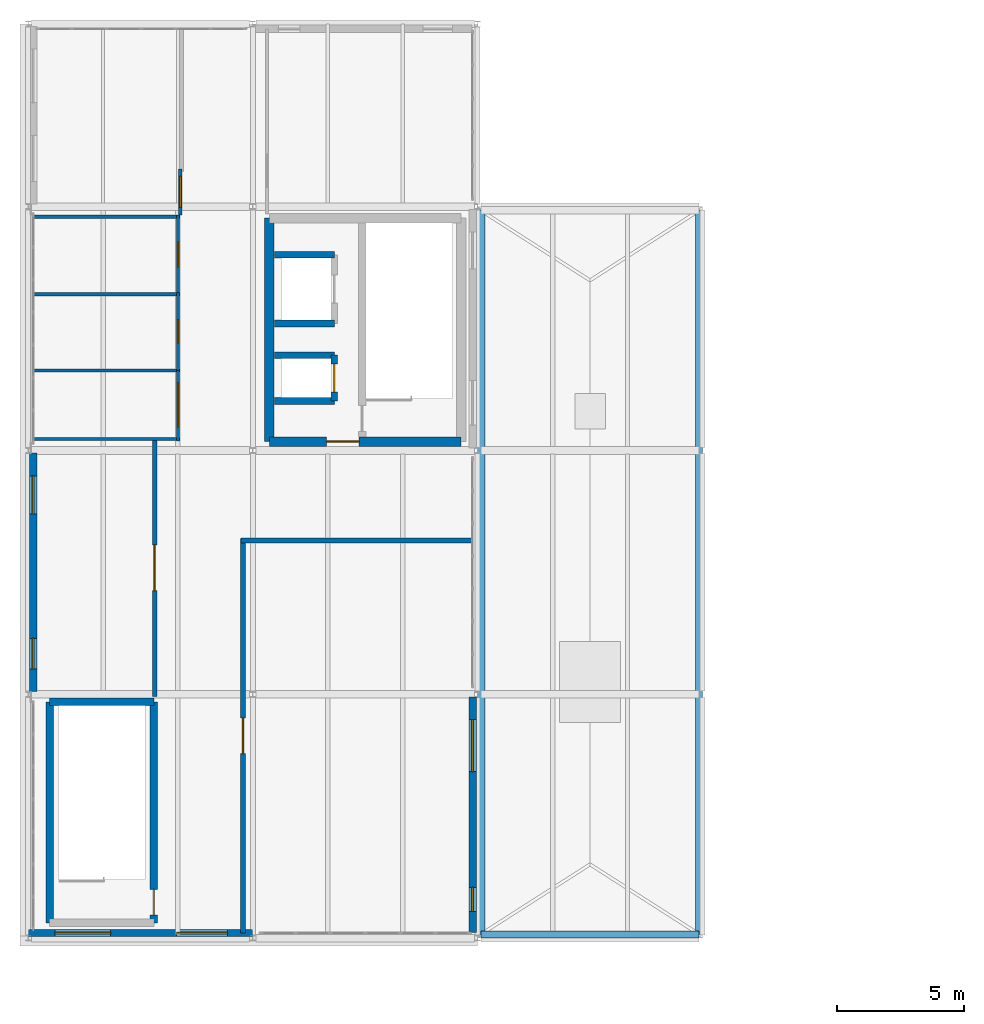
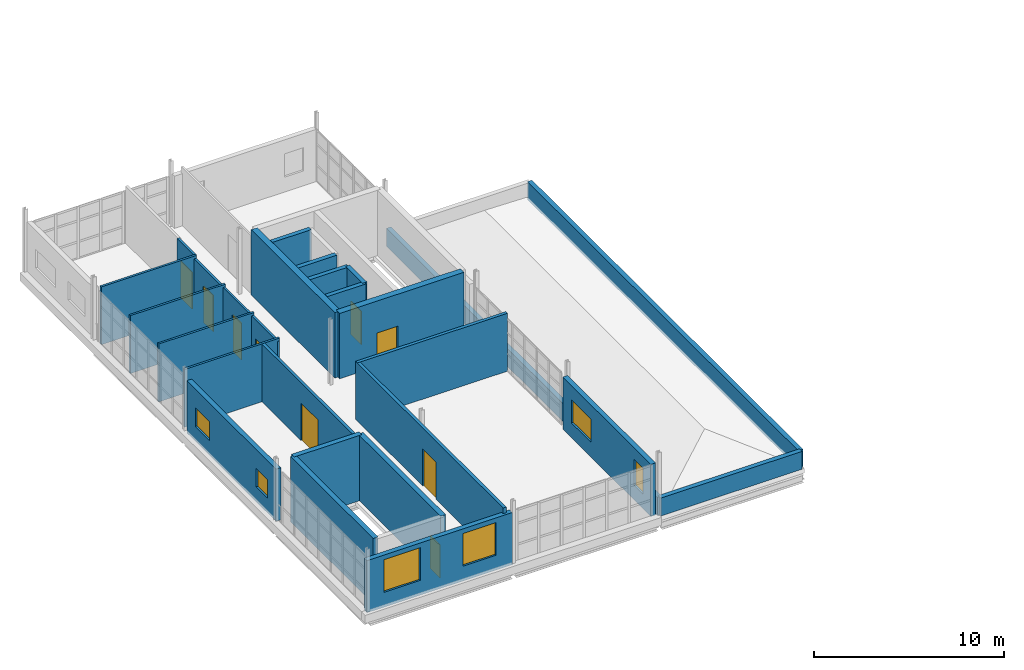
# One storey, part 13 of 16: 27 walls, 9 doors, 6 windows, 15 openings.
"""IFC4 building model written with IfcOpenShell, lengths in metres."""

from ifc_helpers import new_model, si_unit, direction, frame, frame_2d, origin, place, context, subcontext, project, spatial, rectangle, extrude, material, layer, layer_set, type_object, element, fill, save


model = new_model("IFC4")

# Units and contexts
model_context = context("Model", 3, precision=1e-05, world=origin(), true_north=direction((0.0, 1.0)))
body_context = subcontext(model_context, "Body", "Model", "MODEL_VIEW")
ifc_project = project(units=[si_unit("LENGTHUNIT", "METRE"), si_unit("AREAUNIT", "SQUARE_METRE"), si_unit("VOLUMEUNIT", "CUBIC_METRE"), si_unit("PLANEANGLEUNIT", "RADIAN"), si_unit("MASSUNIT", "GRAM", prefix="KILO")], contexts=[model_context])

# Site, building, storey
site_placement = place(None, origin())
site = spatial("IfcSite", under=ifc_project, at=site_placement, CompositionType="ELEMENT")
building_placement = place(site_placement, origin())
building = spatial("IfcBuilding", under=site, at=building_placement, Name="Yeouljin Market Hall", CompositionType="ELEMENT")
storey_placement = place(building_placement, frame((0.0, 0.0, 19.199951171875)))
storey = spatial("IfcBuildingStorey", under=building, at=storey_placement, Name="L04", CompositionType="ELEMENT", Elevation=19.199951171875)

# Wall, opening, door
ifc_material_1 = material(Name="Gypsum Board Acoustic Partition")
ifc_layer_1 = layer(ifc_material_1, 0.169921875)
ifc_layer_set_1 = layer_set([ifc_layer_1], Name="Gypsum Board Acoustic Partition")
wall_type_1 = type_object("IfcWallType", Name="Part_Acoustic_170", PredefinedType="PARTITIONING", material=ifc_layer_set_1)
wall_1_placement = place(storey_placement, frame((4.97998046875, 9.52001953125, 0.0), z_axis=(0.0, 0.0, 1.0), x_axis=(0.0, 1.0, 0.0)))
wall_1 = element("IfcWall", 1, at=wall_1_placement, inside=storey, type_object=wall_type_1, Name="Interior partition PART-L04-0182", PredefinedType="PARTITIONING", context=body_context, shape_type="SweptSolid", body=[
    extrude(rectangle(XDim=10.1298828125, YDim=0.169921875, at=frame_2d((5.06494140625, 0.0))), origin(), (0.0, 0.0, 1.0), 3.719970703125),
])
opening_1_placement = place(wall_1_placement, frame((4.1650390625, 0.0, 0.0)))
opening_1 = element("IfcOpeningElement", 2, at=opening_1_placement, cuts=wall_1, Name="Opening D-L04-058", PredefinedType="OPENING", context=body_context, shape_type="SweptSolid", body=[
    extrude(rectangle(XDim=1.800048828125, YDim=2.419921875, at=frame_2d((0.89990234375, 1.2099609375))), frame((0.0, 0.094970703125, 0.0), z_axis=(0.0, -1.0, 0.0), x_axis=(1.0, 0.0, 0.0)), (0.0, 0.0, 1.0), 0.18994140625),
])
ifc_material_2 = material(Name="Painted Fire-Rated Steel", Category="steel")
door_type_1 = type_object("IfcDoorType", Name="DT-CS180", OperationType="NOTDEFINED", PredefinedType="DOOR", material=ifc_material_2)
door_1_placement = place(opening_1_placement, origin())
door_1 = element("IfcDoor", 3, at=door_1_placement, inside=storey, type_object=door_type_1, Name="Interior door D-L04-058 (Spice Blending Workshop)", OperationType="SINGLE_SWING_RIGHT", OverallHeight=2.419921875, OverallWidth=1.800048828125, PredefinedType="DOOR", context=body_context, shape_type="SweptSolid", body=[
    extrude(rectangle(XDim=1.800048828125, YDim=2.419921875, at=frame_2d((0.89990234375, 1.2099609375))), frame((0.0, 0.02490234375, 0.0), z_axis=(0.0, -1.0, 0.0), x_axis=(1.0, 0.0, 0.0)), (0.0, 0.0, 1.0), 0.050048828125),
])
fill(opening_1, door_1)

ifc_material_3 = material(Name="Gypsum Board Acoustic Partition")
ifc_layer_2 = layer(ifc_material_3, 0.14990234375)
ifc_layer_set_2 = layer_set([ifc_layer_2], Name="Gypsum Board Acoustic Partition")
wall_type_2 = type_object("IfcWallType", Name="Part_Classroom_150", PredefinedType="PARTITIONING", material=ifc_layer_set_2)
wall_2_placement = place(storey_placement, frame((5.989990234375, 28.47998046875, 0.0), z_axis=(0.0, 0.0, 1.0), x_axis=(0.0, 1.0, 0.0)))
wall_2 = element("IfcWall", 4, at=wall_2_placement, inside=storey, type_object=wall_type_2, Name="Interior partition PART-L04-0183", PredefinedType="PARTITIONING", context=body_context, shape_type="SweptSolid", body=[
    extrude(rectangle(XDim=1.800048828125, YDim=0.14990234375, at=frame_2d((0.89990234375, 0.0))), origin(), (0.0, 0.0, 1.0), 3.650146484375),
])
opening_2_placement = place(wall_2_placement, frame((0.2900390625, 0.0, 0.0)))
opening_2 = element("IfcOpeningElement", 5, at=opening_2_placement, cuts=wall_2, Name="Opening D-L04-059", PredefinedType="OPENING", context=body_context, shape_type="SweptSolid", body=[
    extrude(rectangle(XDim=1.219970703125, YDim=2.360107421875, at=frame_2d((0.60986328125, 1.18017578125))), frame((0.0, 0.0849609375, 0.0), z_axis=(0.0, -1.0, 0.0), x_axis=(1.0, 0.0, 0.0)), (0.0, 0.0, 1.0), 0.169921875),
])
ifc_material_4 = material(Name="Acoustic Timber Veneer", Category="wood")
door_type_2 = type_object("IfcDoorType", Name="DT-ID122T", OperationType="NOTDEFINED", PredefinedType="DOOR", material=ifc_material_4)
door_2_placement = place(opening_2_placement, origin())
door_2 = element("IfcDoor", 6, at=door_2_placement, inside=storey, type_object=door_type_2, Name="Interior door D-L04-059 (Chefs Seminar Studio)", OperationType="SINGLE_SWING_LEFT", OverallHeight=2.360107421875, OverallWidth=1.219970703125, PredefinedType="DOOR", context=body_context, shape_type="SweptSolid", body=[
    extrude(rectangle(XDim=1.219970703125, YDim=2.360107421875, at=frame_2d((0.60986328125, 1.18017578125))), frame((0.0, 0.02490234375, 0.0), z_axis=(0.0, -1.0, 0.0), x_axis=(1.0, 0.0, 0.0)), (0.0, 0.0, 1.0), 0.050048828125),
])
fill(opening_2, door_2)

ifc_material_5 = material(Name="Ceramic-Faced Acoustic Partition")
ifc_layer_3 = layer(ifc_material_5, 0.18994140625)
ifc_layer_set_3 = layer_set([ifc_layer_3], Name="Ceramic-Faced Acoustic Partition")
wall_type_3 = type_object("IfcWallType", Name="Part_KitchenTile_190", PredefinedType="PARTITIONING", material=ifc_layer_set_3)
wall_3_placement = place(storey_placement, frame((8.4599609375, 15.72998046875, 0.0), z_axis=(0.0, 0.0, 1.0), x_axis=(0.0, -1.0, 0.0)))
wall_3 = element("IfcWall", 7, at=wall_3_placement, inside=storey, type_object=wall_type_3, Name="Interior partition PART-L04-0180", PredefinedType="PARTITIONING", context=body_context, shape_type="SweptSolid", body=[
    extrude(rectangle(XDim=15.530029296875, YDim=0.18994140625, at=frame_2d((7.76513671875, 0.0))), origin(), (0.0, 0.0, 1.0), 3.719970703125),
])
opening_3_placement = place(wall_3_placement, frame((7.06494140625, 0.0, 0.0)))
opening_3 = element("IfcOpeningElement", 8, at=opening_3_placement, cuts=wall_3, Name="Opening D-L04-057", PredefinedType="OPENING", context=body_context, shape_type="SweptSolid", body=[
    extrude(rectangle(XDim=1.39990234375, YDim=2.3798828125, at=frame_2d((0.699951171875, 1.18994140625))), frame((0.0, 0.10498046875, 0.0), z_axis=(0.0, -1.0, 0.0), x_axis=(1.0, 0.0, 0.0)), (0.0, 0.0, 1.0), 0.2099609375),
])
ifc_material_6 = material(Name="Painted Fire-Rated Steel", Category="steel")
door_type_3 = type_object("IfcDoorType", Name="DT-CS140", OperationType="NOTDEFINED", PredefinedType="DOOR", material=ifc_material_6)
door_3_placement = place(opening_3_placement, origin())
door_3 = element("IfcDoor", 9, at=door_3_placement, inside=storey, type_object=door_type_3, Name="Interior door D-L04-057 (Spice Conservatory Kitchen)", OperationType="SINGLE_SWING_LEFT", OverallHeight=2.3798828125, OverallWidth=1.39990234375, PredefinedType="DOOR", context=body_context, shape_type="SweptSolid", body=[
    extrude(rectangle(XDim=1.39990234375, YDim=2.3798828125, at=frame_2d((0.699951171875, 1.18994140625))), frame((0.0, 0.02490234375, 0.0), z_axis=(0.0, -1.0, 0.0), x_axis=(1.0, 0.0, 0.0)), (0.0, 0.0, 1.0), 0.050048828125),
])
fill(opening_3, door_3)

# Wall
wall_4_placement = place(storey_placement, frame((17.5, 15.64990234375, 0.0), z_axis=(0.0, 0.0, 1.0), x_axis=(-1.0, 0.0, 0.0)))
element("IfcWall", 10, at=wall_4_placement, inside=storey, type_object=wall_type_3, Name="Interior partition PART-L04-0181", PredefinedType="PARTITIONING", context=body_context, shape_type="SweptSolid", body=[
    extrude(rectangle(XDim=9.1201171875, YDim=0.18994140625, at=frame_2d((4.56005859375, 0.0))), origin(), (0.0, 0.0, 1.0), 3.719970703125),
])

# Wall, opening, door
ifc_material_7 = material(Name="Moisture-Resistant Gypsum Partition")
ifc_layer_4 = layer(ifc_material_7, 0.1298828125)
ifc_layer_set_4 = layer_set([ifc_layer_4], Name="Moisture-Resistant Gypsum Partition")
wall_type_4 = type_object("IfcWallType", Name="Part_Sanitary_130", PredefinedType="PARTITIONING", material=ifc_layer_set_4)
wall_5_placement = place(storey_placement, frame((5.89990234375, 19.570068359375, 0.0), z_axis=(0.0, 0.0, 1.0), x_axis=(0.0, 1.0, 0.0)))
wall_5 = element("IfcWall", 11, at=wall_5_placement, inside=storey, type_object=wall_type_4, Name="Interior partition PART-L04-0173", PredefinedType="PARTITIONING", context=body_context, shape_type="SweptSolid", body=[
    extrude(rectangle(XDim=2.85986328125, YDim=0.1298828125, at=frame_2d((1.429931640625, 0.0))), origin(), (0.0, 0.0, 1.0), 3.550048828125),
])
opening_4_placement = place(wall_5_placement, frame((0.570068359375, 0.0, 0.0)))
opening_4 = element("IfcOpeningElement", 12, at=opening_4_placement, cuts=wall_5, Name="Opening D-L04-054", PredefinedType="OPENING", context=body_context, shape_type="SweptSolid", body=[
    extrude(rectangle(XDim=1.719970703125, YDim=2.320068359375, at=frame_2d((0.85986328125, 1.16015625))), frame((0.0, 0.074951171875, 0.0), z_axis=(0.0, -1.0, 0.0), x_axis=(1.0, 0.0, 0.0)), (0.0, 0.0, 1.0), 0.14990234375),
])
ifc_material_8 = material(Name="Acoustic Timber Veneer", Category="wood")
door_type_4 = type_object("IfcDoorType", Name="DT-ID172H", OperationType="NOTDEFINED", PredefinedType="DOOR", material=ifc_material_8)
door_4_placement = place(opening_4_placement, origin())
door_4 = element("IfcDoor", 13, at=door_4_placement, inside=storey, type_object=door_type_4, Name="Interior door D-L04-054 (Accessible WC)", OperationType="SINGLE_SWING_RIGHT", OverallHeight=2.320068359375, OverallWidth=1.719970703125, PredefinedType="DOOR", context=body_context, shape_type="SweptSolid", body=[
    extrude(rectangle(XDim=1.719970703125, YDim=2.320068359375, at=frame_2d((0.85986328125, 1.16015625))), frame((0.0, 0.02490234375, 0.0), z_axis=(0.0, -1.0, 0.0), x_axis=(1.0, 0.0, 0.0)), (0.0, 0.0, 1.0), 0.050048828125),
])
fill(opening_4, door_4)

# Walls
for number, where, z_axis, x_axis, name in (
    (14, (0.199951171875, 19.64990234375, 0.0), (0.0, 0.0, 1.0), (1.0, 0.0, 0.0), "Interior partition PART-L04-0174"),
    (15, (5.97998046875, 22.35009765625, 0.0), (0.0, 0.0, 1.0), (-1.0, 0.0, 0.0), "Interior partition PART-L04-0175"),
):
    element("IfcWall", number, at=place(storey_placement, frame(where, z_axis=z_axis, x_axis=x_axis)), inside=storey, type_object=wall_type_4, Name=name, PredefinedType="PARTITIONING", context=body_context, shape_type="SweptSolid", body=[
        extrude(rectangle(XDim=5.780029296875, YDim=0.1298828125, at=frame_2d((2.89013671875, 0.0))), origin(), (0.0, 0.0, 1.0), 3.719970703125),
    ])

# Wall, opening, door
wall_6_placement = place(storey_placement, frame((5.89990234375, 22.35009765625, 0.0), z_axis=(0.0, 0.0, 1.0), x_axis=(0.0, 1.0, 0.0)))
wall_6 = element("IfcWall", 16, at=wall_6_placement, inside=storey, type_object=wall_type_4, Name="Interior partition PART-L04-0176", PredefinedType="PARTITIONING", context=body_context, shape_type="SweptSolid", body=[
    extrude(rectangle(XDim=3.079833984375, YDim=0.1298828125, at=frame_2d((1.5400390625, 0.0))), origin(), (0.0, 0.0, 1.0), 3.550048828125),
])
opening_5_placement = place(wall_6_placement, frame((1.090087890625, 0.0, 0.0)))
opening_5 = element("IfcOpeningElement", 17, at=opening_5_placement, cuts=wall_6, Name="Opening D-L04-055", PredefinedType="OPENING", context=body_context, shape_type="SweptSolid", body=[
    extrude(rectangle(XDim=0.89990234375, YDim=2.360107421875, at=frame_2d((0.449951171875, 1.18017578125))), frame((0.0, 0.074951171875, 0.0), z_axis=(0.0, -1.0, 0.0), x_axis=(1.0, 0.0, 0.0)), (0.0, 0.0, 1.0), 0.14990234375),
])
ifc_material_9 = material(Name="Acoustic Timber Veneer", Category="wood")
door_type_5 = type_object("IfcDoorType", Name="DT-ID090T", OperationType="NOTDEFINED", PredefinedType="DOOR", material=ifc_material_9)
door_5_placement = place(opening_5_placement, origin())
door_5 = element("IfcDoor", 18, at=door_5_placement, inside=storey, type_object=door_type_5, Name="Interior door D-L04-055 (Female WC)", OperationType="SINGLE_SWING_LEFT", OverallHeight=2.360107421875, OverallWidth=0.89990234375, PredefinedType="DOOR", context=body_context, shape_type="SweptSolid", body=[
    extrude(rectangle(XDim=0.89990234375, YDim=2.360107421875, at=frame_2d((0.449951171875, 1.18017578125))), frame((0.0, 0.02490234375, 0.0), z_axis=(0.0, -1.0, 0.0), x_axis=(1.0, 0.0, 0.0)), (0.0, 0.0, 1.0), 0.050048828125),
])
fill(opening_5, door_5)

# Wall
wall_7_placement = place(storey_placement, frame((5.97998046875, 25.35009765625, 0.0), z_axis=(0.0, 0.0, 1.0), x_axis=(-1.0, 0.0, 0.0)))
element("IfcWall", 19, at=wall_7_placement, inside=storey, type_object=wall_type_4, Name="Interior partition PART-L04-0177", PredefinedType="PARTITIONING", context=body_context, shape_type="SweptSolid", body=[
    extrude(rectangle(XDim=5.780029296875, YDim=0.1298828125, at=frame_2d((2.89013671875, 0.0))), origin(), (0.0, 0.0, 1.0), 3.719970703125),
])

# Wall, opening, door
wall_8_placement = place(storey_placement, frame((5.89990234375, 25.35009765625, 0.0), z_axis=(0.0, 0.0, 1.0), x_axis=(0.0, 1.0, 0.0)))
wall_8 = element("IfcWall", 20, at=wall_8_placement, inside=storey, type_object=wall_type_4, Name="Interior partition PART-L04-0178", PredefinedType="PARTITIONING", context=body_context, shape_type="SweptSolid", body=[
    extrude(rectangle(XDim=3.1298828125, YDim=0.1298828125, at=frame_2d((1.56494140625, 0.0))), origin(), (0.0, 0.0, 1.0), 3.550048828125),
])
opening_6_placement = place(wall_8_placement, frame((1.074951171875, 0.0, 0.0)))
opening_6 = element("IfcOpeningElement", 21, at=opening_6_placement, cuts=wall_8, Name="Opening D-L04-056", PredefinedType="OPENING", context=body_context, shape_type="SweptSolid", body=[
    extrude(rectangle(XDim=0.97998046875, YDim=2.360107421875, at=frame_2d((0.489990234375, 1.18017578125))), frame((0.0, 0.074951171875, 0.0), z_axis=(0.0, -1.0, 0.0), x_axis=(1.0, 0.0, 0.0)), (0.0, 0.0, 1.0), 0.14990234375),
])
ifc_material_10 = material(Name="Acoustic Timber Veneer", Category="wood")
door_type_6 = type_object("IfcDoorType", Name="DT-ID098T", OperationType="NOTDEFINED", PredefinedType="DOOR", material=ifc_material_10)
door_6_placement = place(opening_6_placement, origin())
door_6 = element("IfcDoor", 22, at=door_6_placement, inside=storey, type_object=door_type_6, Name="Interior door D-L04-056 (Male WC)", OperationType="SINGLE_SWING_RIGHT", OverallHeight=2.360107421875, OverallWidth=0.97998046875, PredefinedType="DOOR", context=body_context, shape_type="SweptSolid", body=[
    extrude(rectangle(XDim=0.97998046875, YDim=2.360107421875, at=frame_2d((0.489990234375, 1.18017578125))), frame((0.0, 0.02490234375, 0.0), z_axis=(0.0, -1.0, 0.0), x_axis=(1.0, 0.0, 0.0)), (0.0, 0.0, 1.0), 0.050048828125),
])
fill(opening_6, door_6)

# Wall
wall_9_placement = place(storey_placement, frame((5.97998046875, 28.39990234375, 0.0), z_axis=(0.0, 0.0, 1.0), x_axis=(-1.0, 0.0, 0.0)))
element("IfcWall", 23, at=wall_9_placement, inside=storey, type_object=wall_type_4, Name="Interior partition PART-L04-0179", PredefinedType="PARTITIONING", context=body_context, shape_type="SweptSolid", body=[
    extrude(rectangle(XDim=5.780029296875, YDim=0.1298828125, at=frame_2d((2.89013671875, 0.0))), origin(), (0.0, 0.0, 1.0), 3.719970703125),
])

# Wall, opening, door
ifc_material_11 = material(Name="Concrete C35/45", Category="concrete")
ifc_layer_5 = layer(ifc_material_11, 0.260009765625)
ifc_layer_set_5 = layer_set([ifc_layer_5], Name="Concrete C35/45")
wall_type_5 = type_object("IfcWallType", Name="Wall_Compartment_260", PredefinedType="SHEAR", material=ifc_layer_set_5)
wall_10_placement = place(storey_placement, frame((12.054931640625, 21.14990234375, 0.0), z_axis=(0.0, 0.0, 1.0), x_axis=(0.0, 1.0, 0.0)))
wall_10 = element("IfcWall", 24, at=wall_10_placement, inside=storey, type_object=wall_type_5, Name="Lift LP-01 hoistway front wall (L04)", PredefinedType="SHEAR", context=body_context, shape_type="SweptSolid", body=[
    extrude(rectangle(XDim=1.800048828125, YDim=0.260009765625, at=frame_2d((0.89990234375, 0.0))), origin(), (0.0, 0.0, 1.0), 4.199951171875),
])
opening_7_placement = place(wall_10_placement, frame((0.35009765625, 0.0, 0.0)))
opening_7 = element("IfcOpeningElement", 25, at=opening_7_placement, cuts=wall_10, Name="Opening LD-LP-01-L04", PredefinedType="OPENING", context=body_context, shape_type="SweptSolid", body=[
    extrude(rectangle(XDim=1.10009765625, YDim=2.14990234375, at=frame_2d((0.550048828125, 1.074951171875))), frame((0.0, 0.139892578125, 0.0), z_axis=(0.0, -1.0, 0.0), x_axis=(1.0, 0.0, 0.0)), (0.0, 0.0, 1.0), 0.280029296875),
])
ifc_material_12 = material(Name="Brushed Stainless Steel", Category="steel")
door_type_7 = type_object("IfcDoorType", Name="LD-110", OperationType="SLIDING_TO_LEFT", PredefinedType="DOOR", material=ifc_material_12)
door_7_placement = place(opening_7_placement, origin())
door_7 = element("IfcDoor", 26, at=door_7_placement, inside=storey, type_object=door_type_7, Name="Lift landing sliding door LD-LP-01-L04", OperationType="SLIDING_TO_LEFT", OverallHeight=2.14990234375, OverallWidth=1.10009765625, PredefinedType="DOOR", context=body_context, shape_type="SweptSolid", body=[
    extrude(rectangle(XDim=1.10009765625, YDim=2.14990234375, at=frame_2d((0.550048828125, 1.074951171875))), frame((0.0, 0.02490234375, 0.0), z_axis=(0.0, -1.0, 0.0), x_axis=(1.0, 0.0, 0.0)), (0.0, 0.0, 1.0), 0.050048828125),
])
fill(opening_7, door_7)

# Walls
for number, where, z_axis, x_axis, name in (
    (27, (9.699951171875, 21.14990234375, 0.0), (0.0, 0.0, 1.0), (1.0, 0.0, 0.0), "Lift LP-01 shaft cheek wall S (L04)"),
    (28, (9.699951171875, 22.949951171875, 0.0), (0.0, 0.0, 1.0), (1.0, 0.0, 0.0), "Lift LP-01 shaft cheek wall N (L04)"),
    (29, (9.699951171875, 24.199951171875, 0.0), (0.0, 0.0, 1.0), (1.0, 0.0, 0.0), "Lift LS-01 shaft cheek wall S (L04)"),
    (30, (9.699951171875, 26.89990234375, 0.0), (0.0, 0.0, 1.0), (1.0, 0.0, 0.0), "Lift LS-01 shaft cheek wall N (L04)"),
):
    element("IfcWall", number, at=place(storey_placement, frame(where, z_axis=z_axis, x_axis=x_axis)), inside=storey, type_object=wall_type_5, Name=name, PredefinedType="SHEAR", context=body_context, shape_type="SweptSolid", body=[
        extrude(rectangle(XDim=2.35498046875, YDim=0.260009765625, at=frame_2d((1.177490234375, 0.0))), origin(), (0.0, 0.0, 1.0), 4.199951171875),
    ])

# Wall, opening, door
ifc_material_13 = material(Name="Concrete C35/45", Category="concrete")
ifc_layer_6 = layer(ifc_material_13, 0.3798828125)
ifc_layer_set_6 = layer_set([ifc_layer_6], Name="Concrete C35/45")
wall_type_6 = type_object("IfcWallType", Name="Wall_CoreShear_380", PredefinedType="SHEAR", material=ifc_layer_set_6)
wall_11_placement = place(storey_placement, frame((9.5, 19.550048828125, 0.0), z_axis=(0.0, 0.0, 1.0), x_axis=(1.0, 0.0, 0.0)))
wall_11 = element("IfcWall", 31, at=wall_11_placement, inside=storey, type_object=wall_type_6, Name="Core C1 south shear wall (L04)", PredefinedType="SHEAR", context=body_context, shape_type="SweptSolid", body=[
    extrude(rectangle(XDim=7.550048828125, YDim=0.3798828125, at=frame_2d((3.77490234375, 0.0))), origin(), (0.0, 0.0, 1.0), 4.199951171875),
])
opening_8_placement = place(wall_11_placement, frame((2.25, 0.0, 0.0)))
opening_8 = element("IfcOpeningElement", 32, at=opening_8_placement, cuts=wall_11, Name="Opening FD-C1-L04-01", PredefinedType="OPENING", context=body_context, shape_type="SweptSolid", body=[
    extrude(rectangle(XDim=1.280029296875, YDim=2.14990234375, at=frame_2d((0.64013671875, 1.074951171875))), frame((0.0, 0.199951171875, 0.0), z_axis=(0.0, -1.0, 0.0), x_axis=(1.0, 0.0, 0.0)), (0.0, 0.0, 1.0), 0.39990234375),
])
ifc_material_14 = material(Name="Painted Fire-Rated Steel", Category="steel")
door_type_8 = type_object("IfcDoorType", Name="DT-FD128", OperationType="NOTDEFINED", PredefinedType="DOOR", material=ifc_material_14)
door_8_placement = place(opening_8_placement, origin())
door_8 = element("IfcDoor", 33, at=door_8_placement, inside=storey, type_object=door_type_8, Name="Core C1 lobby fire door (L04)", OperationType="SINGLE_SWING_LEFT", OverallHeight=2.14990234375, OverallWidth=1.280029296875, PredefinedType="DOOR", context=body_context, shape_type="SweptSolid", body=[
    extrude(rectangle(XDim=1.280029296875, YDim=2.14990234375, at=frame_2d((0.64013671875, 1.074951171875))), frame((0.0, 0.02490234375, 0.0), z_axis=(0.0, -1.0, 0.0), x_axis=(1.0, 0.0, 0.0)), (0.0, 0.0, 1.0), 0.050048828125),
])
fill(opening_8, door_8)

# Wall
wall_12_placement = place(storey_placement, frame((9.5, 28.35009765625, 0.0), z_axis=(0.0, 0.0, 1.0), x_axis=(0.0, -1.0, 0.0)))
element("IfcWall", 34, at=wall_12_placement, inside=storey, type_object=wall_type_6, Name="Core C1 west shear wall (L04)", PredefinedType="SHEAR", context=body_context, shape_type="SweptSolid", body=[
    extrude(rectangle(XDim=8.800048828125, YDim=0.3798828125, at=frame_2d((4.39990234375, 0.0))), origin(), (0.0, 0.0, 1.0), 4.199951171875),
])

# Wall, openings, windows
ifc_material_15 = material(Name="Clinker Brick Masonry F2-S2", Category="masonry")
ifc_layer_7 = layer(ifc_material_15, 0.2900390625)
ifc_layer_set_7 = layer_set([ifc_layer_7], Name="Clinker Brick Masonry F2-S2")
wall_type_7 = type_object("IfcWallType", Name="Wall_Ext_GableBrick_290", PredefinedType="SOLIDWALL", material=ifc_layer_set_7)
wall_13_placement = place(storey_placement, frame((8.840087890625, 0.199951171875, 0.0), z_axis=(0.0, 0.0, 1.0), x_axis=(-1.0, 0.0, 0.0)))
wall_13 = element("IfcWall", 35, at=wall_13_placement, inside=storey, type_object=wall_type_7, Name="Exterior wall WE-L04-B02", PredefinedType="SOLIDWALL", context=body_context, shape_type="SweptSolid", body=[
    extrude(rectangle(XDim=8.828125, YDim=0.2900390625, at=frame_2d((4.4140625, 0.0))), origin(), (0.0, 0.0, 1.0), 3.35009765625),
])
opening_9_placement = place(wall_13_placement, frame((0.989990234375, 0.0, 0.949951171875)))
opening_9 = element("IfcOpeningElement", 36, at=opening_9_placement, cuts=wall_13, Name="Opening WN-17", PredefinedType="OPENING", context=body_context, shape_type="SweptSolid", body=[
    extrude(rectangle(XDim=2.0, YDim=2.10009765625, at=frame_2d((1.0, 1.050048828125))), frame((0.0, 0.155029296875, 0.0), z_axis=(0.0, -1.0, 0.0), x_axis=(1.0, 0.0, 0.0)), (0.0, 0.0, 1.0), 0.31005859375),
])
opening_10_placement = place(wall_13_placement, frame((5.590087890625, 0.0, 0.949951171875)))
opening_10 = element("IfcOpeningElement", 37, at=opening_10_placement, cuts=wall_13, Name="Opening WN-18", PredefinedType="OPENING", context=body_context, shape_type="SweptSolid", body=[
    extrude(rectangle(XDim=2.199951171875, YDim=2.10009765625, at=frame_2d((1.10009765625, 1.050048828125))), frame((0.0, 0.155029296875, 0.0), z_axis=(0.0, -1.0, 0.0), x_axis=(1.0, 0.0, 0.0)), (0.0, 0.0, 1.0), 0.31005859375),
])
ifc_material_16 = material(Name="Low-E Insulated Glass", Category="glass")
window_type_1 = type_object("IfcWindowType", Name="Win_Ladder_2000x2100", PartitioningType="TRIPLE_PANEL_VERTICAL", PredefinedType="WINDOW", material=ifc_material_16)
window_1_placement = place(opening_9_placement, origin())
window_1 = element("IfcWindow", 38, at=window_1_placement, inside=storey, type_object=window_type_1, Name="Exterior window WIN-L04-B02A", OverallHeight=2.10009765625, OverallWidth=2.0, PartitioningType="SINGLE_PANEL", PredefinedType="WINDOW", context=body_context, shape_type="SweptSolid", body=[
    extrude(rectangle(XDim=2.0, YDim=2.10009765625, at=frame_2d((1.0, 1.050048828125))), frame((0.0, 0.030029296875, 0.0), z_axis=(0.0, -1.0, 0.0), x_axis=(1.0, 0.0, 0.0)), (0.0, 0.0, 1.0), 0.06005859375),
])
fill(opening_9, window_1)
ifc_material_17 = material(Name="Low-E Insulated Glass", Category="glass")
window_type_2 = type_object("IfcWindowType", Name="Win_Ladder_2200x2100", PartitioningType="TRIPLE_PANEL_VERTICAL", PredefinedType="WINDOW", material=ifc_material_17)
window_2_placement = place(opening_10_placement, origin())
window_2 = element("IfcWindow", 39, at=window_2_placement, inside=storey, type_object=window_type_2, Name="Exterior window WIN-L04-B02B", OverallHeight=2.10009765625, OverallWidth=2.199951171875, PartitioningType="SINGLE_PANEL", PredefinedType="WINDOW", context=body_context, shape_type="SweptSolid", body=[
    extrude(rectangle(XDim=2.199951171875, YDim=2.10009765625, at=frame_2d((1.10009765625, 1.050048828125))), frame((0.0, 0.030029296875, 0.0), z_axis=(0.0, -1.0, 0.0), x_axis=(1.0, 0.0, 0.0)), (0.0, 0.0, 1.0), 0.06005859375),
])
fill(opening_10, window_2)

wall_14_placement = place(storey_placement, frame((0.199951171875, 9.7060546875, 0.0), z_axis=(0.0, 0.0, 1.0), x_axis=(0.0, 1.0, 0.0)))
wall_14 = element("IfcWall", 40, at=wall_14_placement, inside=storey, type_object=wall_type_7, Name="Exterior wall WE-L04-B04", PredefinedType="SOLIDWALL", context=body_context, shape_type="SweptSolid", body=[
    extrude(rectangle(XDim=9.387939453125, YDim=0.2900390625, at=frame_2d((4.69384765625, 0.0))), origin(), (0.0, 0.0, 1.0), 3.35009765625),
])
opening_11_placement = place(wall_14_placement, frame((0.89404296875, 0.0, 0.949951171875)))
opening_11 = element("IfcOpeningElement", 41, at=opening_11_placement, cuts=wall_14, Name="Opening WN-21", PredefinedType="OPENING", context=body_context, shape_type="SweptSolid", body=[
    extrude(rectangle(XDim=1.199951171875, YDim=1.199951171875, at=frame_2d((0.60009765625, 0.60009765625))), frame((0.0, 0.155029296875, 0.0), z_axis=(0.0, -1.0, 0.0), x_axis=(1.0, 0.0, 0.0)), (0.0, 0.0, 1.0), 0.31005859375),
])
opening_12_placement = place(wall_14_placement, frame((6.993896484375, 0.0, 0.949951171875)))
opening_12 = element("IfcOpeningElement", 42, at=opening_12_placement, cuts=wall_14, Name="Opening WN-22", PredefinedType="OPENING", context=body_context, shape_type="SweptSolid", body=[
    extrude(rectangle(XDim=1.5, YDim=1.199951171875, at=frame_2d((0.75, 0.60009765625))), frame((0.0, 0.155029296875, 0.0), z_axis=(0.0, -1.0, 0.0), x_axis=(1.0, 0.0, 0.0)), (0.0, 0.0, 1.0), 0.31005859375),
])
ifc_material_18 = material(Name="Low-E Insulated Glass", Category="glass")
window_type_3 = type_object("IfcWindowType", Name="Win_Ladder_1200x1200", PartitioningType="DOUBLE_PANEL_HORIZONTAL", PredefinedType="WINDOW", material=ifc_material_18)
window_3_placement = place(opening_11_placement, origin())
window_3 = element("IfcWindow", 43, at=window_3_placement, inside=storey, type_object=window_type_3, Name="Exterior window WIN-L04-B04A", OverallHeight=1.199951171875, OverallWidth=1.199951171875, PartitioningType="SINGLE_PANEL", PredefinedType="WINDOW", context=body_context, shape_type="SweptSolid", body=[
    extrude(rectangle(XDim=1.199951171875, YDim=1.199951171875, at=frame_2d((0.60009765625, 0.60009765625))), frame((0.0, 0.030029296875, 0.0), z_axis=(0.0, -1.0, 0.0), x_axis=(1.0, 0.0, 0.0)), (0.0, 0.0, 1.0), 0.06005859375),
])
fill(opening_11, window_3)
ifc_material_19 = material(Name="Low-E Insulated Glass", Category="glass")
window_type_4 = type_object("IfcWindowType", Name="Win_Ladder_1500x1200", PartitioningType="DOUBLE_PANEL_HORIZONTAL", PredefinedType="WINDOW", material=ifc_material_19)
window_4_placement = place(opening_12_placement, origin())
window_4 = element("IfcWindow", 44, at=window_4_placement, inside=storey, type_object=window_type_4, Name="Exterior window WIN-L04-B04B", OverallHeight=1.199951171875, OverallWidth=1.5, PartitioningType="SINGLE_PANEL", PredefinedType="WINDOW", context=body_context, shape_type="SweptSolid", body=[
    extrude(rectangle(XDim=1.5, YDim=1.199951171875, at=frame_2d((0.75, 0.60009765625))), frame((0.0, 0.030029296875, 0.0), z_axis=(0.0, -1.0, 0.0), x_axis=(1.0, 0.0, 0.0)), (0.0, 0.0, 1.0), 0.06005859375),
])
fill(opening_12, window_4)

wall_15_placement = place(storey_placement, frame((17.5, 9.493896484375, 0.0), z_axis=(0.0, 0.0, 1.0), x_axis=(0.0, -1.0, 0.0)))
wall_15 = element("IfcWall", 45, at=wall_15_placement, inside=storey, type_object=wall_type_7, Name="Exterior wall WE-L04-B12", PredefinedType="SOLIDWALL", context=body_context, shape_type="SweptSolid", body=[
    extrude(rectangle(XDim=9.265869140625, YDim=0.2900390625, at=frame_2d((4.6328125, 0.0))), origin(), (0.0, 0.0, 1.0), 3.35009765625),
])
opening_13_placement = place(wall_15_placement, frame((0.89404296875, 0.0, 0.949951171875)))
opening_13 = element("IfcOpeningElement", 46, at=opening_13_placement, cuts=wall_15, Name="Opening WN-35", PredefinedType="OPENING", context=body_context, shape_type="SweptSolid", body=[
    extrude(rectangle(XDim=2.050048828125, YDim=1.5, at=frame_2d((1.02490234375, 0.75))), frame((0.0, 0.155029296875, 0.0), z_axis=(0.0, -1.0, 0.0), x_axis=(1.0, 0.0, 0.0)), (0.0, 0.0, 1.0), 0.31005859375),
])
opening_14_placement = place(wall_15_placement, frame((7.493896484375, 0.0, 0.949951171875)))
opening_14 = element("IfcOpeningElement", 47, at=opening_14_placement, cuts=wall_15, Name="Opening WN-39", PredefinedType="OPENING", context=body_context, shape_type="SweptSolid", body=[
    extrude(rectangle(XDim=0.949951171875, YDim=1.64990234375, at=frame_2d((0.47509765625, 0.824951171875))), frame((0.0, 0.155029296875, 0.0), z_axis=(0.0, -1.0, 0.0), x_axis=(1.0, 0.0, 0.0)), (0.0, 0.0, 1.0), 0.31005859375),
])
ifc_material_20 = material(Name="Low-E Insulated Glass", Category="glass")
window_type_5 = type_object("IfcWindowType", Name="Win_Ladder_2050x1500", PartitioningType="TRIPLE_PANEL_VERTICAL", PredefinedType="WINDOW", material=ifc_material_20)
window_5_placement = place(opening_13_placement, origin())
window_5 = element("IfcWindow", 48, at=window_5_placement, inside=storey, type_object=window_type_5, Name="Exterior window WIN-L04-B12A", OverallHeight=1.5, OverallWidth=2.050048828125, PartitioningType="SINGLE_PANEL", PredefinedType="WINDOW", context=body_context, shape_type="SweptSolid", body=[
    extrude(rectangle(XDim=2.050048828125, YDim=1.5, at=frame_2d((1.02490234375, 0.75))), frame((0.0, 0.030029296875, 0.0), z_axis=(0.0, -1.0, 0.0), x_axis=(1.0, 0.0, 0.0)), (0.0, 0.0, 1.0), 0.06005859375),
])
fill(opening_13, window_5)
ifc_material_21 = material(Name="Low-E Insulated Glass", Category="glass")
window_type_6 = type_object("IfcWindowType", Name="Win_Ladder_950x1650", PartitioningType="DOUBLE_PANEL_HORIZONTAL", PredefinedType="WINDOW", material=ifc_material_21)
window_6_placement = place(opening_14_placement, origin())
window_6 = element("IfcWindow", 49, at=window_6_placement, inside=storey, type_object=window_type_6, Name="Exterior window WIN-L04-B12B", OverallHeight=1.64990234375, OverallWidth=0.949951171875, PartitioningType="SINGLE_PANEL", PredefinedType="WINDOW", context=body_context, shape_type="SweptSolid", body=[
    extrude(rectangle(XDim=0.949951171875, YDim=1.64990234375, at=frame_2d((0.47509765625, 0.824951171875))), frame((0.0, 0.030029296875, 0.0), z_axis=(0.0, -1.0, 0.0), x_axis=(1.0, 0.0, 0.0)), (0.0, 0.0, 1.0), 0.06005859375),
])
fill(opening_14, window_6)

# Walls
ifc_material_22 = material(Name="Clinker Brick Masonry F2-S2", Category="masonry")
ifc_layer_8 = layer(ifc_material_22, 0.280029296875)
ifc_layer_set_8 = layer_set([ifc_layer_8], Name="Clinker Brick Masonry F2-S2")
wall_type_8 = type_object("IfcWallType", Name="Wall_Parapet_Clinker_280", PredefinedType="PARAPET", material=ifc_layer_set_8)
wall_16_placement = place(storey_placement, frame((17.840087890625, 0.139892578125, 0.010009765625), z_axis=(0.0, 0.0, 1.0), x_axis=(1.0, 0.0, 0.0)))
element("IfcWall", 50, at=wall_16_placement, inside=storey, type_object=wall_type_8, Name="Roof parapet RSLB-V2-L03S-1", PredefinedType="PARAPET", context=body_context, shape_type="SweptSolid", body=[
    extrude(rectangle(XDim=8.56982421875, YDim=0.280029296875, at=frame_2d((4.284912109375, 0.0))), origin(), (0.0, 0.0, 1.0), 1.150146484375),
])
for number, where, z_axis, x_axis, name in (
    (51, (26.409912109375, 0.139892578125, 0.010009765625), (0.0, 0.0, 1.0), (0.0, 1.0, 0.0), "Roof parapet RSLB-V2-L03S-2"),
    (52, (17.840087890625, 28.659912109375, 0.010009765625), (0.0, 0.0, 1.0), (0.0, -1.0, 0.0), "Roof parapet RSLB-V2-L03S-4"),
):
    element("IfcWall", number, at=place(storey_placement, frame(where, z_axis=z_axis, x_axis=x_axis)), inside=storey, type_object=wall_type_8, Name=name, PredefinedType="PARAPET", context=body_context, shape_type="SweptSolid", body=[
        extrude(rectangle(XDim=28.52001953125, YDim=0.280029296875, at=frame_2d((14.260009765625, 0.0))), origin(), (0.0, 0.0, 1.0), 1.150146484375),
    ])
ifc_material_23 = material(Name="Concrete C35/45", Category="concrete")
ifc_layer_9 = layer(ifc_material_23, 0.300048828125)
ifc_layer_set_9 = layer_set([ifc_layer_9], Name="Concrete C35/45")
wall_type_9 = type_object("IfcWallType", Name="Wall_ShaftShear_300", PredefinedType="SHEAR", material=ifc_layer_set_9)
wall_17_placement = place(storey_placement, frame((4.949951171875, 9.300048828125, 0.0), z_axis=(0.0, 0.0, 1.0), x_axis=(-1.0, 0.0, 0.0)))
element("IfcWall", 53, at=wall_17_placement, inside=storey, type_object=wall_type_9, Name="Core S7 north shear wall (L04)", PredefinedType="SHEAR", context=body_context, shape_type="SweptSolid", body=[
    extrude(rectangle(XDim=4.099853515625, YDim=0.300048828125, at=frame_2d((2.0498046875, 0.0))), origin(), (0.0, 0.0, 1.0), 4.199951171875),
])
wall_18_placement = place(storey_placement, frame((0.85009765625, 9.300048828125, 0.0), z_axis=(0.0, 0.0, 1.0), x_axis=(0.0, -1.0, 0.0)))
element("IfcWall", 54, at=wall_18_placement, inside=storey, type_object=wall_type_9, Name="Core S7 west shear wall (L04)", PredefinedType="SHEAR", context=body_context, shape_type="SweptSolid", body=[
    extrude(rectangle(XDim=8.699951171875, YDim=0.300048828125, at=frame_2d((4.35009765625, 0.0))), origin(), (0.0, 0.0, 1.0), 4.199951171875),
])

# Wall, opening, door
wall_19_placement = place(storey_placement, frame((4.949951171875, 0.60009765625, 0.0), z_axis=(0.0, 0.0, 1.0), x_axis=(0.0, 1.0, 0.0)))
wall_19 = element("IfcWall", 55, at=wall_19_placement, inside=storey, type_object=wall_type_9, Name="Core S7 east shear wall (L04)", PredefinedType="SHEAR", context=body_context, shape_type="SweptSolid", body=[
    extrude(rectangle(XDim=8.699951171875, YDim=0.300048828125, at=frame_2d((4.35009765625, 0.0))), origin(), (0.0, 0.0, 1.0), 4.199951171875),
])
opening_15_placement = place(wall_19_placement, frame((0.300048828125, 0.0, 0.0)))
opening_15 = element("IfcOpeningElement", 56, at=opening_15_placement, cuts=wall_19, Name="Opening SD-S7-L04", PredefinedType="OPENING", context=body_context, shape_type="SweptSolid", body=[
    extrude(rectangle(XDim=1.02001953125, YDim=2.10009765625, at=frame_2d((0.510009765625, 1.050048828125))), frame((0.0, 0.159912109375, 0.0), z_axis=(0.0, -1.0, 0.0), x_axis=(1.0, 0.0, 0.0)), (0.0, 0.0, 1.0), 0.320068359375),
])
ifc_material_24 = material(Name="Painted Fire-Rated Steel", Category="steel")
door_type_9 = type_object("IfcDoorType", Name="DT-FD102", OperationType="NOTDEFINED", PredefinedType="DOOR", material=ifc_material_24)
door_9_placement = place(opening_15_placement, origin())
door_9 = element("IfcDoor", 57, at=door_9_placement, inside=storey, type_object=door_type_9, Name="Escape stair S7 fire door (L04)", OperationType="SINGLE_SWING_LEFT", OverallHeight=2.10009765625, OverallWidth=1.02001953125, PredefinedType="DOOR", context=body_context, shape_type="SweptSolid", body=[
    extrude(rectangle(XDim=1.02001953125, YDim=2.10009765625, at=frame_2d((0.510009765625, 1.050048828125))), frame((0.0, 0.02490234375, 0.0), z_axis=(0.0, -1.0, 0.0), x_axis=(1.0, 0.0, 0.0)), (0.0, 0.0, 1.0), 0.050048828125),
])
fill(opening_15, door_9)

save(model, "model.ifc")
